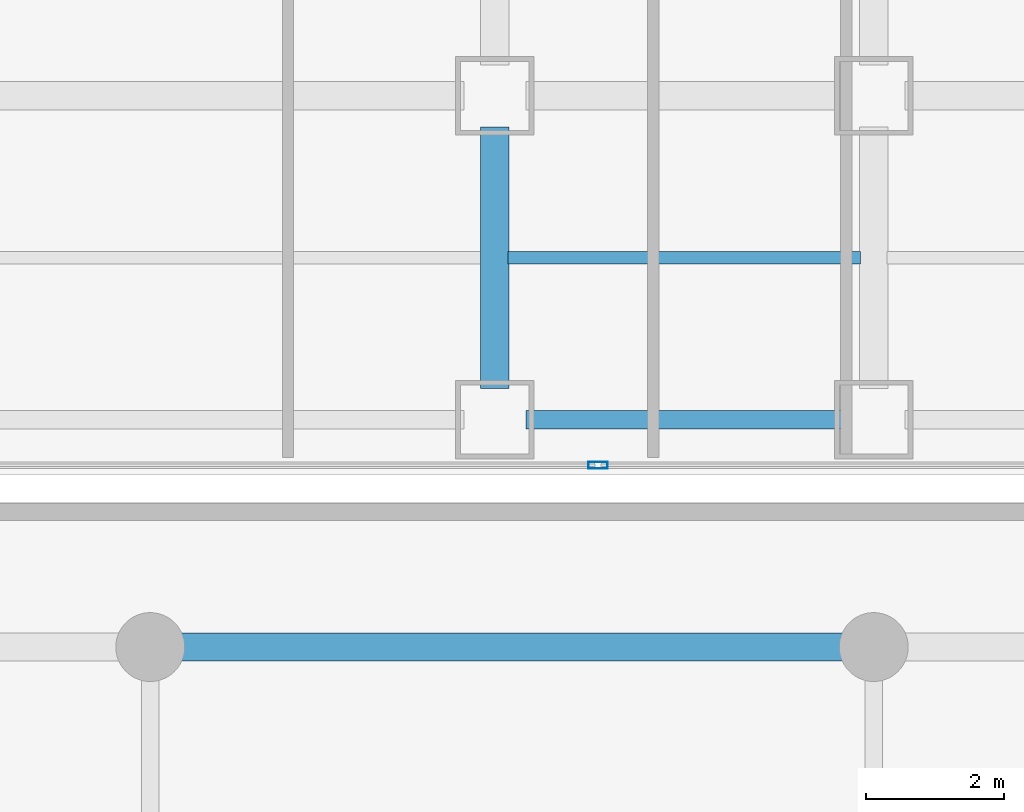
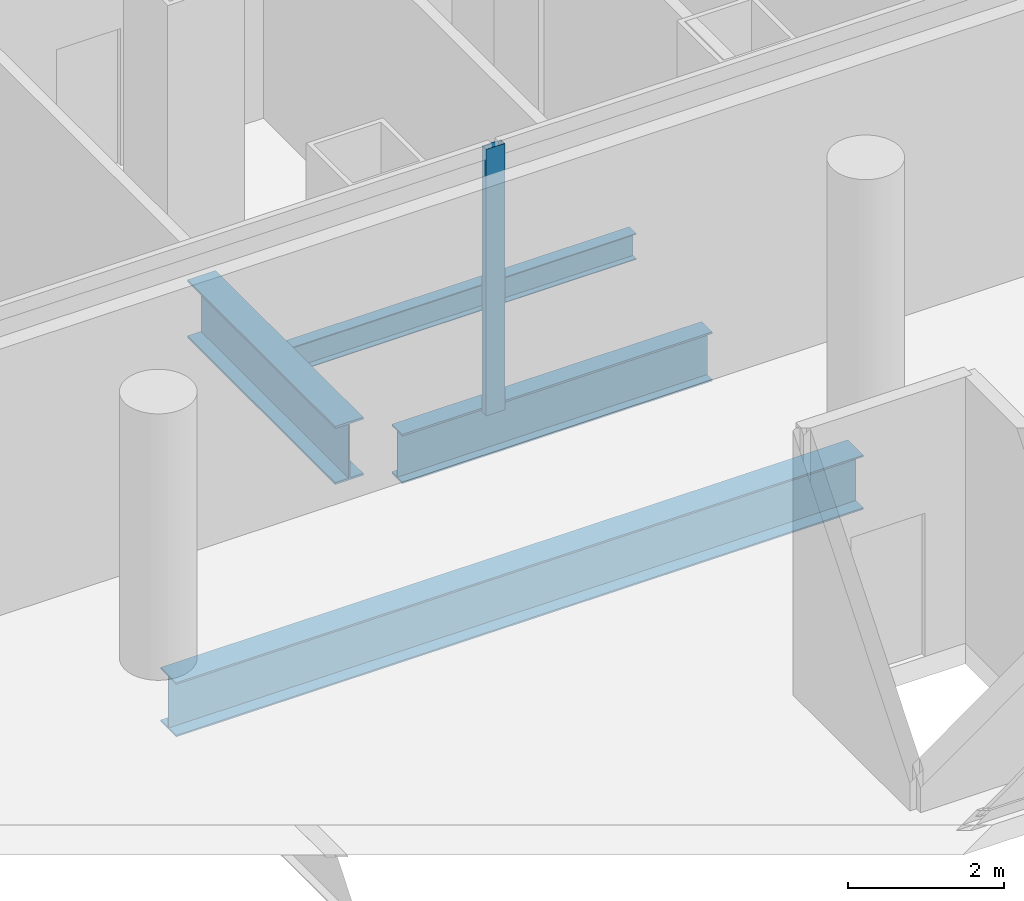
# One storey, part 8 of 27: 4 beams, 1 member, 1 element without a shape of its own.
"""IFC4 building model written with IfcOpenShell, lengths in metres."""

from ifc_helpers import new_model, si_unit, direction, frame, origin, origin_2d, place, context, subcontext, project, spatial, hollow_rectangle, i_section, extrude, source, transform, mapped, material, layer, layer_set, material_profile, profile_set, type_object, element, aggregate, save


model = new_model("IFC4")

# Units and contexts
model_context = context("Model", 3, precision=1e-05, world=origin(), true_north=direction((0.0, 1.0)))
body_context = subcontext(model_context, "Body", "Model", "MODEL_VIEW")
ifc_project = project(units=[si_unit("LENGTHUNIT", "METRE"), si_unit("AREAUNIT", "SQUARE_METRE"), si_unit("VOLUMEUNIT", "CUBIC_METRE"), si_unit("PLANEANGLEUNIT", "RADIAN"), si_unit("MASSUNIT", "GRAM", prefix="KILO")], contexts=[model_context])

# Site, building, storey
site_placement = place(None, origin())
site = spatial("IfcSite", under=ifc_project, at=site_placement, CompositionType="ELEMENT")
building_placement = place(site_placement, origin())
building = spatial("IfcBuilding", under=site, at=building_placement, Name="Kolveth Station Tower", CompositionType="ELEMENT")
storey_placement = place(building_placement, frame((0.0, 0.0, 13.5)))
storey = spatial("IfcBuildingStorey", under=building, at=storey_placement, Name="L03", CompositionType="ELEMENT", Elevation=13.5)

# Beams
ifc_material_1 = material(Name="Steel S355", Category="steel")
ifc_material_profile_1 = material_profile(ifc_material_1, i_section(OverallWidth=0.26904296875, OverallDepth=0.77490234375, WebThickness=0.01708984375, FlangeThickness=0.0283203125, at=origin_2d()), Name="W760x220")
ifc_profile_set_1 = profile_set([ifc_material_profile_1], Name="Steel S355")
beam_type_1 = type_object("IfcBeamType", Name="Beam_SP1", PredefinedType="SPANDREL", material=ifc_profile_set_1)
shared_shape_1 = source(origin(), body_context, "Body", "SweptSolid", [
    extrude(i_section(OverallWidth=0.26904296875, OverallDepth=0.77490234375, WebThickness=0.01708984375, FlangeThickness=0.0283203125, at=origin_2d()), origin(), (0.0, 0.0, 1.0), 4.60009765625),
])
beam_1_placement = place(storey_placement, frame((28.949951171875, 0.800048828125, -0.70751953125), z_axis=(1.0, 0.0, 0.0), x_axis=(0.0, 1.0, 0.0)))
element("IfcBeam", 1, at=beam_1_placement, inside=storey, type_object=beam_type_1, Name="L03 Perimeter Spandrel BM-L03-PS-4", PredefinedType="SPANDREL", context=body_context, shape_type="MappedRepresentation", body=[
    mapped(shared_shape_1, transform((0.0, 0.0, 0.0), x_axis=(1.0, 0.0, 0.0), y_axis=(0.0, 1.0, 0.0), z_axis=(0.0, 0.0, 1.0), scale=1.0)),
])
ifc_material_profile_2 = material_profile(ifc_material_1, i_section(OverallWidth=0.41796875, OverallDepth=0.912109375, WebThickness=0.019287109375, FlangeThickness=0.031982421875, at=origin_2d()), Name="W920x342")
ifc_profile_set_2 = profile_set([ifc_material_profile_2], Name="Steel S355")
beam_type_2 = type_object("IfcBeamType", Name="Beam_B1", PredefinedType="BEAM", material=ifc_profile_set_2)
shared_shape_2 = source(origin(), body_context, "Body", "SweptSolid", [
    extrude(i_section(OverallWidth=0.41796875, OverallDepth=0.912109375, WebThickness=0.019287109375, FlangeThickness=0.031982421875, at=origin_2d()), origin(), (0.0, 0.0, 1.0), 3.800048828125),
])
beam_2_placement = place(storey_placement, frame((28.5, 1.25, -0.77587890625), z_axis=(0.0, 1.0, 0.0), x_axis=(-1.0, 0.0, 0.0)))
element("IfcBeam", 2, at=beam_2_placement, inside=storey, type_object=beam_type_2, Name="L03 Primary Girder BM-L03-GX285-1", PredefinedType="BEAM", context=body_context, shape_type="MappedRepresentation", body=[
    mapped(shared_shape_2, transform((0.0, 0.0, 0.0), x_axis=(1.0, 0.0, 0.0), y_axis=(0.0, 1.0, 0.0), z_axis=(0.0, 0.0, 1.0), scale=1.0)),
])
ifc_material_profile_3 = material_profile(ifc_material_1, i_section(OverallWidth=0.177978515625, OverallDepth=0.406982421875, WebThickness=0.0078125, FlangeThickness=0.0126953125, at=origin_2d()), Name="W410x60")
ifc_profile_set_3 = profile_set([ifc_material_profile_3], Name="Steel S355")
beam_type_3 = type_object("IfcBeamType", Name="Beam_J1", PredefinedType="JOIST", material=ifc_profile_set_3)
shared_shape_3 = source(origin(), body_context, "Body", "SweptSolid", [
    extrude(i_section(OverallWidth=0.177978515625, OverallDepth=0.406982421875, WebThickness=0.0078125, FlangeThickness=0.0126953125, at=origin_2d()), origin(), (0.0, 0.0, 1.0), 5.10986328125),
])
beam_3_placement = place(storey_placement, frame((28.695068359375, 3.14990234375, -0.5234375), z_axis=(1.0, 0.0, 0.0), x_axis=(0.0, 1.0, 0.0)))
element("IfcBeam", 3, at=beam_3_placement, inside=storey, type_object=beam_type_3, Name="L03 Secondary Joist JST-L03-5-1", PredefinedType="JOIST", context=body_context, shape_type="MappedRepresentation", body=[
    mapped(shared_shape_3, transform((0.0, 0.0, 0.0), x_axis=(1.0, 0.0, 0.0), y_axis=(0.0, 1.0, 0.0), z_axis=(0.0, 0.0, 1.0), scale=1.0)),
])
ifc_material_profile_4 = material_profile(ifc_material_1, i_section(OverallWidth=0.40087890625, OverallDepth=0.85107421875, WebThickness=0.01611328125, FlangeThickness=0.025390625, at=origin_2d()), Name="W840x226")
ifc_profile_set_4 = profile_set([ifc_material_profile_4], Name="Steel S355")
beam_type_4 = type_object("IfcBeamType", Name="Beam_B2", PredefinedType="BEAM", material=ifc_profile_set_4)
shared_shape_4 = source(origin(), body_context, "Body", "SweptSolid", [
    extrude(i_section(OverallWidth=0.40087890625, OverallDepth=0.85107421875, WebThickness=0.01611328125, FlangeThickness=0.025390625, at=origin_2d()), origin(), (0.0, 0.0, 1.0), 10.2001953125),
])
beam_4_placement = place(storey_placement, frame((23.64990234375, -2.5, -0.74560546875), z_axis=(1.0, 0.0, 0.0), x_axis=(0.0, 1.0, 0.0)))
element("IfcBeam", 4, at=beam_4_placement, inside=storey, type_object=beam_type_4, Name="L03 Station Concourse Girder SBM-L03-SL2-3", PredefinedType="BEAM", context=body_context, shape_type="MappedRepresentation", body=[
    mapped(shared_shape_4, transform((0.0, 0.0, 0.0), x_axis=(1.0, 0.0, 0.0), y_axis=(0.0, 1.0, 0.0), z_axis=(0.0, 0.0, 1.0), scale=1.0)),
])

# Curtain wall, member
ifc_material_2 = material(Name="Black anodized aluminium 6063-T6 and clear station glass", Category="aluminium")
ifc_layer = layer(ifc_material_2, 0.239990234375)
ifc_layer_set = layer_set([ifc_layer], Name="Black anodized aluminium 6063-T6 and clear station glass")
curtain_wall_type = type_object("IfcCurtainWallType", Name="CurtainWall_CW-ST", PredefinedType="NOTDEFINED", material=ifc_layer_set)
curtain_wall_placement = place(storey_placement, origin())
curtain_wall = element("IfcCurtainWall", 5, at=curtain_wall_placement, inside=storey, type_object=curtain_wall_type, Name="L03 Tower Podium South Storefront Curtain Wall", PredefinedType="NOTDEFINED")
ifc_material_3 = material(Name="Black anodized aluminium 6063-T6", Category="aluminium")
ifc_material_profile_5 = material_profile(ifc_material_3, hollow_rectangle(XDim=0.10009765625, YDim=0.280029296875, WallThickness=0.0048828125, at=origin_2d()), Name="ALU-100x280x5")
ifc_profile_set_5 = profile_set([ifc_material_profile_5], Name="Black anodized aluminium 6063-T6")
member_type = type_object("IfcMemberType", Name="Mullion_ML-ST", PredefinedType="MULLION", material=ifc_profile_set_5)
shared_shape_5 = source(origin(), body_context, "Body", "SweptSolid", [
    extrude(hollow_rectangle(XDim=0.10009765625, YDim=0.280029296875, WallThickness=0.0048828125, at=origin_2d()), origin(), (0.0, 0.0, 1.0), 4.179931640625),
])
member_placement = place(storey_placement, frame((30.0, 0.139892578125, 0.0), z_axis=(0.0, 0.0, 1.0), x_axis=(0.0, 1.0, 0.0)))
member = element("IfcMember", 6, at=member_placement, type_object=member_type, Name="CW-ST mullion 3", PredefinedType="MULLION", context=body_context, shape_type="MappedRepresentation", body=[
    mapped(shared_shape_5, transform((0.0, 0.0, 0.0), x_axis=(1.0, 0.0, 0.0), y_axis=(0.0, 1.0, 0.0), z_axis=(0.0, 0.0, 1.0), scale=1.0)),
])
aggregate(curtain_wall, [member])

save(model, "model.ifc")
